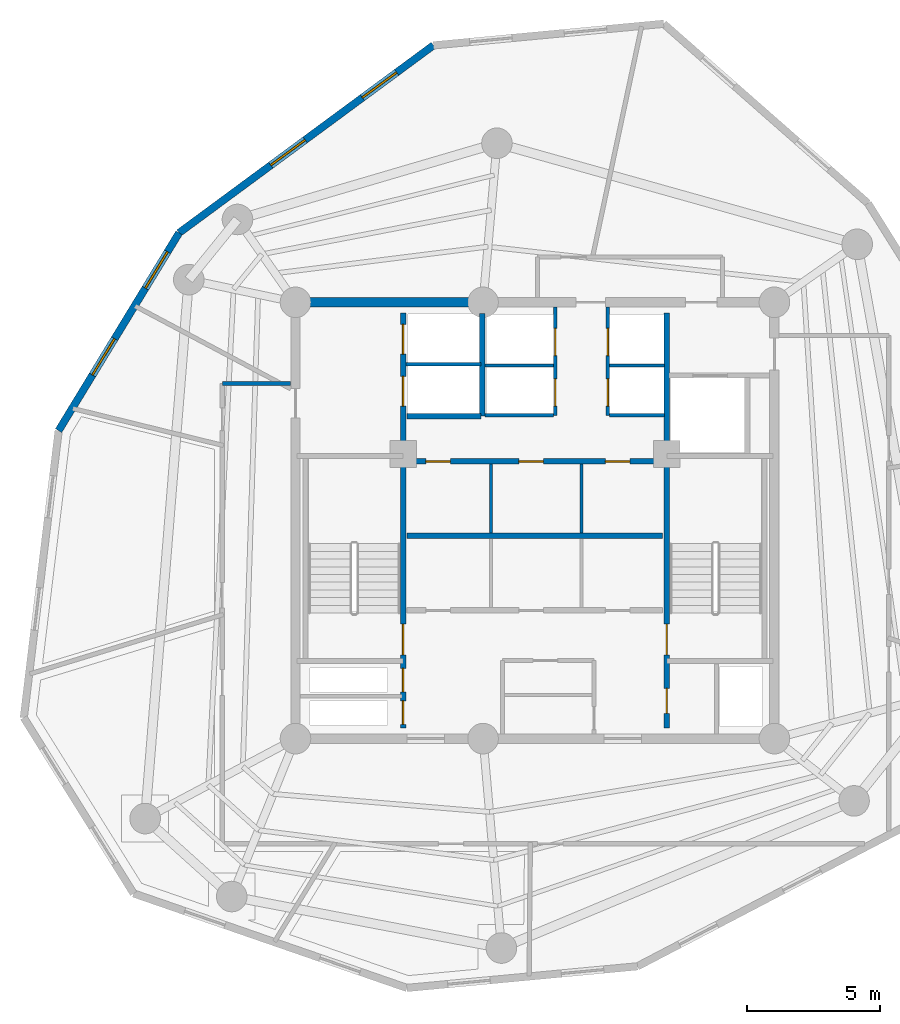
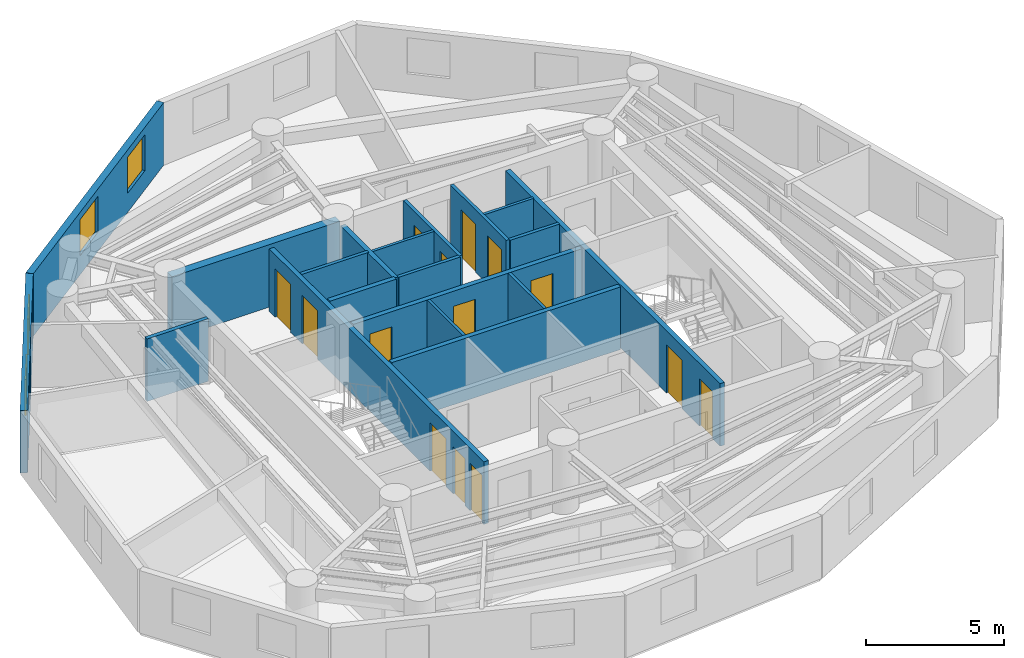
# One storey, part 4 of 6: 19 walls, 14 doors, 4 windows, 18 openings.
"""IFC4 building model written with IfcOpenShell, lengths in metres."""

from ifc_helpers import new_model, si_unit, direction, frame, frame_2d, origin, origin_with_axes, place, context, subcontext, project, spatial, rectangle, extrude, source, transform, mapped, material, layer, layer_set, type_object, element, fill, save


model = new_model("IFC4")

# Units and contexts
model_context = context("Model", 3, precision=1e-05, world=origin(), true_north=direction((0.0, 1.0)))
body_context = subcontext(model_context, "Body", "Model", "MODEL_VIEW")
ifc_project = project(units=[si_unit("LENGTHUNIT", "METRE"), si_unit("AREAUNIT", "SQUARE_METRE"), si_unit("VOLUMEUNIT", "CUBIC_METRE"), si_unit("PLANEANGLEUNIT", "RADIAN"), si_unit("MASSUNIT", "GRAM", prefix="KILO")], contexts=[model_context])

# Site, building, storey
site_placement = place(None, origin())
site = spatial("IfcSite", under=ifc_project, at=site_placement, CompositionType="ELEMENT")
building_placement = place(site_placement, origin())
building = spatial("IfcBuilding", under=site, at=building_placement, Name="Karkom Vertical University and Central Library", CompositionType="ELEMENT")
storey_placement = place(building_placement, frame((0.0, 0.0, 265.699951171875)))
storey = spatial("IfcBuildingStorey", under=building, at=storey_placement, Name="L79", CompositionType="ELEMENT", Elevation=265.699951171875)

# Wall, openings, windows
ifc_material_1 = material(Name="Brick-faced precast concrete C45/55", Category="masonry")
ifc_layer_1 = layer(ifc_material_1, 0.280029296875)
ifc_layer_set_1 = layer_set([ifc_layer_1], Name="Brick-faced precast concrete C45/55")
wall_type_1 = type_object("IfcWallType", Name="ENV-WL-BRK-280", PredefinedType="SOLIDWALL", material=ifc_layer_set_1)
wall_1_placement = place(storey_placement, frame((24.684814453125, 44.360107421875, 0.0), z_axis=(0.0, 0.0, 1.0), x_axis=(-0.804889434658, -0.593424803977, 0.0)))
wall_1 = element("IfcWall", 1, at=wall_1_placement, inside=storey, type_object=wall_type_1, Name="Level 79 Brick-Faced Precast Facade Wall 10", PredefinedType="SOLIDWALL", context=body_context, shape_type="SweptSolid", body=[
    extrude(rectangle(XDim=11.87646484375, YDim=0.280029296875, at=frame_2d((5.938232421875, 0.0))), origin(), (0.0, 0.0, 1.0), 2.775146484375),
])
opening_1_placement = place(wall_1_placement, frame((1.71826171875, 0.0, 0.85009765625)))
opening_1 = element("IfcOpeningElement", 2, at=opening_1_placement, cuts=wall_1, Name="Opening WN-10", PredefinedType="OPENING", context=body_context, shape_type="SweptSolid", body=[
    extrude(rectangle(XDim=1.60009765625, YDim=1.60009765625, at=frame_2d((0.800048828125, 0.800048828125))), frame((0.0, 0.14990234375, 0.0), z_axis=(0.0, -1.0, 0.0), x_axis=(1.0, 0.0, 0.0)), (0.0, 0.0, 1.0), 0.300048828125),
])
opening_2_placement = place(wall_1_placement, frame((5.994873046875, 0.0, 0.85009765625)))
opening_2 = element("IfcOpeningElement", 3, at=opening_2_placement, cuts=wall_1, Name="Opening WN-10", PredefinedType="OPENING", context=body_context, shape_type="SweptSolid", body=[
    extrude(rectangle(XDim=1.60009765625, YDim=1.60009765625, at=frame_2d((0.800048828125, 0.800048828125))), frame((0.0, 0.14990234375, 0.0), z_axis=(0.0, -1.0, 0.0), x_axis=(1.0, 0.0, 0.0)), (0.0, 0.0, 1.0), 0.300048828125),
])
ifc_material_2 = material(Name="Aluminium thermal-break frame with solar-control IGU", Category="aluminium")
window_type = type_object("IfcWindowType", Name="ENV-WIN-WN-10", PartitioningType="SINGLE_PANEL", PredefinedType="WINDOW", material=ifc_material_2)
shared_shape_1 = source(origin_with_axes(), body_context, "Body", "SweptSolid", [
    extrude(rectangle(XDim=1.60009765625, YDim=1.60009765625, at=frame_2d((0.800048828125, 0.800048828125))), frame((0.0, 0.030029296875, 0.0), z_axis=(0.0, -1.0, 0.0), x_axis=(1.0, 0.0, 0.0)), (0.0, 0.0, 1.0), 0.06005859375),
])
window_1_placement = place(opening_1_placement, origin())
window_1 = element("IfcWindow", 4, at=window_1_placement, inside=storey, type_object=window_type, Name="Level 79 Punched Window 10.1", OverallHeight=1.60009765625, OverallWidth=1.60009765625, PartitioningType="SINGLE_PANEL", PredefinedType="WINDOW", context=body_context, shape_type="MappedRepresentation", body=[
    mapped(shared_shape_1, transform((0.0, 0.0, 0.0), scale=1.0)),
])
fill(opening_1, window_1)
window_2_placement = place(opening_2_placement, origin())
window_2 = element("IfcWindow", 5, at=window_2_placement, inside=storey, type_object=window_type, Name="Level 79 Punched Window 10.2", OverallHeight=1.60009765625, OverallWidth=1.60009765625, PartitioningType="SINGLE_PANEL", PredefinedType="WINDOW", context=body_context, shape_type="MappedRepresentation", body=[
    mapped(shared_shape_1, transform((0.0, 0.0, 0.0), scale=1.0)),
])
fill(opening_2, window_2)

wall_2_placement = place(storey_placement, frame((15.12548828125, 37.312255859375, 0.0), z_axis=(0.0, 0.0, 1.0), x_axis=(-0.520339182014, -0.853959680349, 0.0)))
wall_2 = element("IfcWall", 6, at=wall_2_placement, inside=storey, type_object=wall_type_1, Name="Level 79 Brick-Faced Precast Facade Wall 11", PredefinedType="SOLIDWALL", context=body_context, shape_type="SweptSolid", body=[
    extrude(rectangle(XDim=8.706787109375, YDim=0.280029296875, at=frame_2d((4.353515625, 0.0))), origin(), (0.0, 0.0, 1.0), 2.775146484375),
])
opening_3_placement = place(wall_2_placement, frame((0.8349609375, 0.0, 0.85009765625)))
opening_3 = element("IfcOpeningElement", 7, at=opening_3_placement, cuts=wall_2, Name="Opening WN-10", PredefinedType="OPENING", context=body_context, shape_type="SweptSolid", body=[
    extrude(rectangle(XDim=1.60009765625, YDim=1.60009765625, at=frame_2d((0.800048828125, 0.800048828125))), frame((0.0, 0.14990234375, 0.0), z_axis=(0.0, -1.0, 0.0), x_axis=(1.0, 0.0, 0.0)), (0.0, 0.0, 1.0), 0.300048828125),
])
opening_4_placement = place(wall_2_placement, frame((4.65869140625, 0.0, 0.85009765625)))
opening_4 = element("IfcOpeningElement", 8, at=opening_4_placement, cuts=wall_2, Name="Opening WN-10", PredefinedType="OPENING", context=body_context, shape_type="SweptSolid", body=[
    extrude(rectangle(XDim=1.60009765625, YDim=1.60009765625, at=frame_2d((0.800048828125, 0.800048828125))), frame((0.0, 0.14990234375, 0.0), z_axis=(0.0, -1.0, 0.0), x_axis=(1.0, 0.0, 0.0)), (0.0, 0.0, 1.0), 0.300048828125),
])
window_3_placement = place(opening_3_placement, origin())
window_3 = element("IfcWindow", 9, at=window_3_placement, inside=storey, type_object=window_type, Name="Level 79 Punched Window 11.1", OverallHeight=1.60009765625, OverallWidth=1.60009765625, PartitioningType="SINGLE_PANEL", PredefinedType="WINDOW", context=body_context, shape_type="MappedRepresentation", body=[
    mapped(shared_shape_1, transform((0.0, 0.0, 0.0), scale=1.0)),
])
fill(opening_3, window_3)
window_4_placement = place(opening_4_placement, origin())
window_4 = element("IfcWindow", 10, at=window_4_placement, inside=storey, type_object=window_type, Name="Level 79 Punched Window 11.2", OverallHeight=1.60009765625, OverallWidth=1.60009765625, PartitioningType="SINGLE_PANEL", PredefinedType="WINDOW", context=body_context, shape_type="MappedRepresentation", body=[
    mapped(shared_shape_1, transform((0.0, 0.0, 0.0), scale=1.0)),
])
fill(opening_4, window_4)

# Walls
ifc_material_3 = material(Name="Insulated metal-stud drywall 160mm", Category="gypsum")
ifc_layer_2 = layer(ifc_material_3, 0.159912109375)
ifc_layer_set_2 = layer_set([ifc_layer_2], Name="Insulated metal-stud drywall 160mm")
wall_type_2 = type_object("IfcWallType", Name="INT-WL-COR-160", PredefinedType="PARTITIONING", material=ifc_layer_set_2)
wall_3_placement = place(storey_placement, frame((16.75, 31.64990234375, 0.0), z_axis=(0.0, 0.0, 1.0), x_axis=(1.0, 0.0, 0.0)))
element("IfcWall", 11, at=wall_3_placement, inside=storey, type_object=wall_type_2, Name="Level 79 Interior Partition Wall L79-CORW-CW-003", PredefinedType="PARTITIONING", context=body_context, shape_type="SweptSolid", body=[
    extrude(rectangle(XDim=2.568115234375, YDim=0.159912109375, at=frame_2d((1.2841796875, 0.0))), origin(), (0.0, 0.0, 1.0), 2.775146484375),
])
ifc_material_4 = material(Name="Moisture-resistant drywall 120mm", Category="gypsum")
ifc_layer_3 = layer(ifc_material_4, 0.1201171875)
ifc_layer_set_3 = layer_set([ifc_layer_3], Name="Moisture-resistant drywall 120mm")
wall_type_3 = type_object("IfcWallType", Name="INT-WL-INT-120", PredefinedType="PARTITIONING", material=ifc_layer_set_3)
for number, where, z_axis, x_axis, name in (
    (12, (26.85009765625, 26.027099609375, 0.0), (0.0, 0.0, 1.0), (0.0, 1.0, 0.0), "Level 79 Interior Partition Wall L79-CW-B2-K4A"),
    (13, (30.25, 26.027099609375, 0.0), (0.0, 0.0, 1.0), (0.0, 1.0, 0.0), "Level 79 Interior Partition Wall L79-CW-B2-K4B"),
):
    element("IfcWall", number, at=place(storey_placement, frame(where, z_axis=z_axis, x_axis=x_axis)), inside=storey, type_object=wall_type_3, Name=name, PredefinedType="PARTITIONING", context=body_context, shape_type="SweptSolid", body=[
        extrude(rectangle(XDim=2.586669921875, YDim=0.1201171875, at=frame_2d((1.29345703125, 0.0))), origin(), (0.0, 0.0, 1.0), 2.775146484375),
    ])
ifc_layer_4 = layer(ifc_material_4, 0.1201171875)
ifc_layer_set_4 = layer_set([ifc_layer_4], Name="Moisture-resistant drywall 120mm")
wall_type_4 = type_object("IfcWallType", Name="INT-WL-INT-120H", PredefinedType="PARTITIONING", material=ifc_layer_set_4)
wall_4_placement = place(storey_placement, frame((26.6201171875, 32.320068359375, 0.0), z_axis=(0.0, 0.0, 1.0), x_axis=(1.0, 0.0, 0.0)))
element("IfcWall", 14, at=wall_4_placement, inside=storey, type_object=wall_type_4, Name="Level 79 Interior Partition Wall L79-CW-PH-MW", PredefinedType="PARTITIONING", context=body_context, shape_type="SweptSolid", body=[
    extrude(rectangle(XDim=2.579833984375, YDim=0.1201171875, at=frame_2d((1.2900390625, 0.0))), origin(), (0.0, 0.0, 1.0), 2.775146484375),
])
wall_5_placement = place(storey_placement, frame((31.300048828125, 32.320068359375, 0.0), z_axis=(0.0, 0.0, 1.0), x_axis=(1.0, 0.0, 0.0)))
element("IfcWall", 15, at=wall_5_placement, inside=storey, type_object=wall_type_4, Name="Level 79 Interior Partition Wall L79-CW-PH-ME", PredefinedType="PARTITIONING", context=body_context, shape_type="SweptSolid", body=[
    extrude(rectangle(XDim=2.074951171875, YDim=0.1201171875, at=frame_2d((1.03759765625, 0.0))), origin(), (0.0, 0.0, 1.0), 2.775146484375),
])

# Wall, openings, doors
ifc_material_5 = material(Name="Metal-stud gypsum partition 140mm", Category="gypsum")
ifc_layer_5 = layer(ifc_material_5, 0.139892578125)
ifc_layer_set_5 = layer_set([ifc_layer_5], Name="Metal-stud gypsum partition 140mm")
wall_type_5 = type_object("IfcWallType", Name="INT-WL-SUB-140H", PredefinedType="PARTITIONING", material=ifc_layer_set_5)
wall_6_placement = place(storey_placement, frame((29.260009765625, 30.449951171875, 0.0), z_axis=(0.0, 0.0, 1.0), x_axis=(0.0, 1.0, 0.0)))
wall_6 = element("IfcWall", 16, at=wall_6_placement, inside=storey, type_object=wall_type_5, Name="Level 79 Interior Partition Wall L79-CW-PH-W", PredefinedType="PARTITIONING", context=body_context, shape_type="SweptSolid", body=[
    extrude(rectangle(XDim=4.068115234375, YDim=0.139892578125, at=frame_2d((2.0341796875, 0.0))), origin(), (0.0, 0.0, 1.0), 2.775146484375),
])
opening_5_placement = place(wall_6_placement, frame((0.35009765625, 0.0, 0.0)))
opening_5 = element("IfcOpeningElement", 17, at=opening_5_placement, cuts=wall_6, Name="Opening LD-PH", PredefinedType="OPENING", context=body_context, shape_type="SweptSolid", body=[
    extrude(rectangle(XDim=1.02001953125, YDim=2.14990234375, at=frame_2d((0.510009765625, 1.074951171875))), frame((0.0, 0.080078125, 0.0), z_axis=(0.0, -1.0, 0.0), x_axis=(1.0, 0.0, 0.0)), (0.0, 0.0, 1.0), 0.159912109375),
])
opening_6_placement = place(wall_6_placement, frame((2.25, 0.0, 0.0)))
opening_6 = element("IfcOpeningElement", 18, at=opening_6_placement, cuts=wall_6, Name="Opening LD-PH", PredefinedType="OPENING", context=body_context, shape_type="SweptSolid", body=[
    extrude(rectangle(XDim=1.02001953125, YDim=2.14990234375, at=frame_2d((0.510009765625, 1.074951171875))), frame((0.0, 0.080078125, 0.0), z_axis=(0.0, -1.0, 0.0), x_axis=(1.0, 0.0, 0.0)), (0.0, 0.0, 1.0), 0.159912109375),
])
ifc_material_6 = material(Name="Brushed stainless-steel landing door", Category="steel")
door_type_1 = type_object("IfcDoorType", Name="INT-DR-LD-PH", OperationType="SLIDING_TO_LEFT", PredefinedType="DOOR", material=ifc_material_6)
shared_shape_2 = source(origin_with_axes(), body_context, "Body", "SweptSolid", [
    extrude(rectangle(XDim=1.02001953125, YDim=2.14990234375, at=frame_2d((0.510009765625, 1.074951171875))), frame((0.0, 0.02490234375, 0.0), z_axis=(0.0, -1.0, 0.0), x_axis=(1.0, 0.0, 0.0)), (0.0, 0.0, 1.0), 0.050048828125),
])
door_1_placement = place(opening_5_placement, origin())
door_1 = element("IfcDoor", 19, at=door_1_placement, inside=storey, type_object=door_type_1, Name="Level 79 Lift PH-1 Landing Door", OperationType="SLIDING_TO_LEFT", OverallHeight=2.14990234375, OverallWidth=1.02001953125, PredefinedType="DOOR", context=body_context, shape_type="MappedRepresentation", body=[
    mapped(shared_shape_2, transform((0.0, 0.0, 0.0), scale=1.0)),
])
fill(opening_5, door_1)
door_2_placement = place(opening_6_placement, origin())
door_2 = element("IfcDoor", 20, at=door_2_placement, inside=storey, type_object=door_type_1, Name="Level 79 Lift PH-2 Landing Door", OperationType="SLIDING_TO_LEFT", OverallHeight=2.14990234375, OverallWidth=1.02001953125, PredefinedType="DOOR", context=body_context, shape_type="MappedRepresentation", body=[
    mapped(shared_shape_2, transform((0.0, 0.0, 0.0), scale=1.0)),
])
fill(opening_6, door_2)

wall_7_placement = place(storey_placement, frame((31.239990234375, 30.449951171875, 0.0), z_axis=(0.0, 0.0, 1.0), x_axis=(0.0, 1.0, 0.0)))
wall_7 = element("IfcWall", 21, at=wall_7_placement, inside=storey, type_object=wall_type_5, Name="Level 79 Interior Partition Wall L79-CW-PH-E", PredefinedType="PARTITIONING", context=body_context, shape_type="SweptSolid", body=[
    extrude(rectangle(XDim=4.068115234375, YDim=0.139892578125, at=frame_2d((2.0341796875, 0.0))), origin(), (0.0, 0.0, 1.0), 2.775146484375),
])
opening_7_placement = place(wall_7_placement, frame((0.35009765625, 0.0, 0.0)))
opening_7 = element("IfcOpeningElement", 22, at=opening_7_placement, cuts=wall_7, Name="Opening LD-PH", PredefinedType="OPENING", context=body_context, shape_type="SweptSolid", body=[
    extrude(rectangle(XDim=1.02001953125, YDim=2.14990234375, at=frame_2d((0.510009765625, 1.074951171875))), frame((0.0, 0.080078125, 0.0), z_axis=(0.0, -1.0, 0.0), x_axis=(1.0, 0.0, 0.0)), (0.0, 0.0, 1.0), 0.159912109375),
])
opening_8_placement = place(wall_7_placement, frame((2.25, 0.0, 0.0)))
opening_8 = element("IfcOpeningElement", 23, at=opening_8_placement, cuts=wall_7, Name="Opening LD-PH", PredefinedType="OPENING", context=body_context, shape_type="SweptSolid", body=[
    extrude(rectangle(XDim=1.02001953125, YDim=2.14990234375, at=frame_2d((0.510009765625, 1.074951171875))), frame((0.0, 0.080078125, 0.0), z_axis=(0.0, -1.0, 0.0), x_axis=(1.0, 0.0, 0.0)), (0.0, 0.0, 1.0), 0.159912109375),
])
door_3_placement = place(opening_7_placement, origin())
door_3 = element("IfcDoor", 24, at=door_3_placement, inside=storey, type_object=door_type_1, Name="Level 79 Lift PH-3 Landing Door", OperationType="SLIDING_TO_LEFT", OverallHeight=2.14990234375, OverallWidth=1.02001953125, PredefinedType="DOOR", context=body_context, shape_type="MappedRepresentation", body=[
    mapped(shared_shape_2, transform((0.0, 0.0, 0.0), scale=1.0)),
])
fill(opening_7, door_3)
door_4_placement = place(opening_8_placement, origin())
door_4 = element("IfcDoor", 25, at=door_4_placement, inside=storey, type_object=door_type_1, Name="Level 79 Lift PH-4 Landing Door", OperationType="SLIDING_TO_LEFT", OverallHeight=2.14990234375, OverallWidth=1.02001953125, PredefinedType="DOOR", context=body_context, shape_type="MappedRepresentation", body=[
    mapped(shared_shape_2, transform((0.0, 0.0, 0.0), scale=1.0)),
])
fill(opening_8, door_4)

# Walls
wall_8_placement = place(storey_placement, frame((26.6201171875, 30.449951171875, 0.0), z_axis=(0.0, 0.0, 1.0), x_axis=(1.0, 0.0, 0.0)))
element("IfcWall", 26, at=wall_8_placement, inside=storey, type_object=wall_type_5, Name="Level 79 Interior Partition Wall L79-CW-PH-S1", PredefinedType="PARTITIONING", context=body_context, shape_type="SweptSolid", body=[
    extrude(rectangle(XDim=2.579833984375, YDim=0.139892578125, at=frame_2d((1.2900390625, 0.0))), origin(), (0.0, 0.0, 1.0), 2.775146484375),
])
wall_9_placement = place(storey_placement, frame((31.300048828125, 30.449951171875, 0.0), z_axis=(0.0, 0.0, 1.0), x_axis=(1.0, 0.0, 0.0)))
element("IfcWall", 27, at=wall_9_placement, inside=storey, type_object=wall_type_5, Name="Level 79 Interior Partition Wall L79-CW-PH-S2", PredefinedType="PARTITIONING", context=body_context, shape_type="SweptSolid", body=[
    extrude(rectangle(XDim=2.074951171875, YDim=0.139892578125, at=frame_2d((1.03759765625, 0.0))), origin(), (0.0, 0.0, 1.0), 2.775146484375),
])
ifc_layer_6 = layer(ifc_material_5, 0.139892578125)
ifc_layer_set_6 = layer_set([ifc_layer_6], Name="Metal-stud gypsum partition 140mm")
wall_type_6 = type_object("IfcWallType", Name="INT-WL-SUB-140X", PredefinedType="PARTITIONING", material=ifc_layer_set_6)
wall_10_placement = place(storey_placement, frame((23.652099609375, 32.3701171875, 0.0), z_axis=(0.0, 0.0, 1.0), x_axis=(1.0, 0.0, 0.0)))
element("IfcWall", 28, at=wall_10_placement, inside=storey, type_object=wall_type_6, Name="Level 79 Interior Partition Wall L79-CW-FFL-M", PredefinedType="PARTITIONING", context=body_context, shape_type="SweptSolid", body=[
    extrude(rectangle(XDim=2.827880859375, YDim=0.139892578125, at=frame_2d((1.4140625, 0.0))), origin(), (0.0, 0.0, 1.0), 2.775146484375),
])
ifc_material_7 = material(Name="Concrete C45/55", Category="concrete")
ifc_layer_7 = layer(ifc_material_7, 0.35009765625)
ifc_layer_set_7 = layer_set([ifc_layer_7], Name="Concrete C45/55")
wall_type_7 = type_object("IfcWallType", Name="STR-WL-CW-350", PredefinedType="SHEAR", material=ifc_layer_set_7)
wall_11_placement = place(storey_placement, frame((26.550048828125, 34.699951171875, 0.0), z_axis=(0.0, 0.0, 1.0), x_axis=(-1.0, 0.0, 0.0)))
element("IfcWall", 29, at=wall_11_placement, inside=storey, type_object=wall_type_7, Name="Level 79 Central Core Shear Wall NW2", PredefinedType="SHEAR", context=body_context, shape_type="SweptSolid", body=[
    extrude(rectangle(XDim=7.050048828125, YDim=0.35009765625, at=frame_2d((3.52490234375, 0.0))), origin(), (0.0, 0.0, 1.0), 2.775146484375),
])

# Wall, openings, doors
ifc_layer_8 = layer(ifc_material_7, 0.199951171875)
ifc_layer_set_8 = layer_set([ifc_layer_8], Name="Concrete C45/55")
wall_type_8 = type_object("IfcWallType", Name="STR-WL-ST-200", PredefinedType="SHEAR", material=ifc_layer_set_8)
wall_12_placement = place(storey_placement, frame((23.544921875, 18.699951171875, 0.0), z_axis=(0.0, 0.0, 1.0), x_axis=(0.0, 1.0, 0.0)))
wall_12 = element("IfcWall", 30, at=wall_12_placement, inside=storey, type_object=wall_type_8, Name="Level 79 Core Shaft Wall L79-CW-ST1-E", PredefinedType="SHEAR", context=body_context, shape_type="SweptSolid", body=[
    extrude(rectangle(XDim=15.60009765625, YDim=0.199951171875, at=frame_2d((7.800048828125, 0.0))), origin(), (0.0, 0.0, 1.0), 2.775146484375),
])
opening_9_placement = place(wall_12_placement, frame((2.75, 0.0, 0.0)))
opening_9 = element("IfcOpeningElement", 31, at=opening_9_placement, cuts=wall_12, Name="Opening FD-ST1", PredefinedType="OPENING", context=body_context, shape_type="SweptSolid", body=[
    extrude(rectangle(XDim=1.14990234375, YDim=2.14990234375, at=frame_2d((0.574951171875, 1.074951171875))), frame((0.0, 0.10986328125, 0.0), z_axis=(0.0, -1.0, 0.0), x_axis=(1.0, 0.0, 0.0)), (0.0, 0.0, 1.0), 0.219970703125),
])
opening_10_placement = place(wall_12_placement, frame((0.139892578125, 0.0, 0.0)))
opening_10 = element("IfcOpeningElement", 32, at=opening_10_placement, cuts=wall_12, Name="Opening FD-RIS", PredefinedType="OPENING", context=body_context, shape_type="SweptSolid", body=[
    extrude(rectangle(XDim=0.8798828125, YDim=2.10009765625, at=frame_2d((0.43994140625, 1.050048828125))), frame((0.0, 0.10986328125, 0.0), z_axis=(0.0, -1.0, 0.0), x_axis=(1.0, 0.0, 0.0)), (0.0, 0.0, 1.0), 0.219970703125),
])
opening_11_placement = place(wall_12_placement, frame((1.360107421875, 0.0, 0.0)))
opening_11 = element("IfcOpeningElement", 33, at=opening_11_placement, cuts=wall_12, Name="Opening FD-RIS", PredefinedType="OPENING", context=body_context, shape_type="SweptSolid", body=[
    extrude(rectangle(XDim=0.8798828125, YDim=2.10009765625, at=frame_2d((0.43994140625, 1.050048828125))), frame((0.0, 0.10986328125, 0.0), z_axis=(0.0, -1.0, 0.0), x_axis=(1.0, 0.0, 0.0)), (0.0, 0.0, 1.0), 0.219970703125),
])
opening_12_placement = place(wall_12_placement, frame((12.10009765625, 0.0, 0.0)))
opening_12 = element("IfcOpeningElement", 34, at=opening_12_placement, cuts=wall_12, Name="Opening LD-FFL", PredefinedType="OPENING", context=body_context, shape_type="SweptSolid", body=[
    extrude(rectangle(XDim=1.1201171875, YDim=2.14990234375, at=frame_2d((0.56005859375, 1.074951171875))), frame((0.0, 0.10986328125, 0.0), z_axis=(0.0, -1.0, 0.0), x_axis=(1.0, 0.0, 0.0)), (0.0, 0.0, 1.0), 0.219970703125),
])
opening_13_placement = place(wall_12_placement, frame((14.050048828125, 0.0, 0.0)))
opening_13 = element("IfcOpeningElement", 35, at=opening_13_placement, cuts=wall_12, Name="Opening LD-FFL", PredefinedType="OPENING", context=body_context, shape_type="SweptSolid", body=[
    extrude(rectangle(XDim=1.1201171875, YDim=2.14990234375, at=frame_2d((0.56005859375, 1.074951171875))), frame((0.0, 0.10986328125, 0.0), z_axis=(0.0, -1.0, 0.0), x_axis=(1.0, 0.0, 0.0)), (0.0, 0.0, 1.0), 0.219970703125),
])
ifc_material_8 = material(Name="Painted steel acoustic fire door", Category="steel")
door_type_2 = type_object("IfcDoorType", Name="INT-DR-ST1", OperationType="NOTDEFINED", PredefinedType="DOOR", material=ifc_material_8)
shared_shape_3 = source(origin_with_axes(), body_context, "Body", "SweptSolid", [
    extrude(rectangle(XDim=1.14990234375, YDim=2.14990234375, at=frame_2d((0.574951171875, 1.074951171875))), frame((0.0, 0.02490234375, 0.0), z_axis=(0.0, -1.0, 0.0), x_axis=(1.0, 0.0, 0.0)), (0.0, 0.0, 1.0), 0.050048828125),
])
door_5_placement = place(opening_9_placement, origin())
door_5 = element("IfcDoor", 36, at=door_5_placement, inside=storey, type_object=door_type_2, Name="Level 79 Stair ST-1 Fire Door", OperationType="SINGLE_SWING_RIGHT", OverallHeight=2.14990234375, OverallWidth=1.14990234375, PredefinedType="DOOR", context=body_context, shape_type="MappedRepresentation", body=[
    mapped(shared_shape_3, transform((0.0, 0.0, 0.0), scale=1.0)),
])
fill(opening_9, door_5)
ifc_material_9 = material(Name="Painted steel riser access door", Category="steel")
door_type_3 = type_object("IfcDoorType", Name="INT-DR-RIS", OperationType="NOTDEFINED", PredefinedType="DOOR", material=ifc_material_9)
shared_shape_4 = source(origin_with_axes(), body_context, "Body", "SweptSolid", [
    extrude(rectangle(XDim=0.8798828125, YDim=2.10009765625, at=frame_2d((0.43994140625, 1.050048828125))), frame((0.0, 0.02490234375, 0.0), z_axis=(0.0, -1.0, 0.0), x_axis=(1.0, 0.0, 0.0)), (0.0, 0.0, 1.0), 0.050048828125),
])
door_6_placement = place(opening_10_placement, origin())
door_6 = element("IfcDoor", 37, at=door_6_placement, inside=storey, type_object=door_type_3, Name="Level 79 Electrical Riser Access Door", OperationType="SINGLE_SWING_LEFT", OverallHeight=2.10009765625, OverallWidth=0.8798828125, PredefinedType="DOOR", context=body_context, shape_type="MappedRepresentation", body=[
    mapped(shared_shape_4, transform((0.0, 0.0, 0.0), scale=1.0)),
])
fill(opening_10, door_6)
door_7_placement = place(opening_11_placement, origin())
door_7 = element("IfcDoor", 38, at=door_7_placement, inside=storey, type_object=door_type_3, Name="Level 79 Telecom Riser Access Door", OperationType="SINGLE_SWING_RIGHT", OverallHeight=2.10009765625, OverallWidth=0.8798828125, PredefinedType="DOOR", context=body_context, shape_type="MappedRepresentation", body=[
    mapped(shared_shape_4, transform((0.0, 0.0, 0.0), scale=1.0)),
])
fill(opening_11, door_7)
ifc_material_10 = material(Name="Fire-rated stainless-steel landing door", Category="steel")
door_type_4 = type_object("IfcDoorType", Name="INT-DR-LD-FFL", OperationType="SLIDING_TO_LEFT", PredefinedType="DOOR", material=ifc_material_10)
shared_shape_5 = source(origin_with_axes(), body_context, "Body", "SweptSolid", [
    extrude(rectangle(XDim=1.1201171875, YDim=2.14990234375, at=frame_2d((0.56005859375, 1.074951171875))), frame((0.0, 0.02490234375, 0.0), z_axis=(0.0, -1.0, 0.0), x_axis=(1.0, 0.0, 0.0)), (0.0, 0.0, 1.0), 0.050048828125),
])
door_8_placement = place(opening_12_placement, origin())
door_8 = element("IfcDoor", 39, at=door_8_placement, inside=storey, type_object=door_type_4, Name="Level 79 Firefighting Lift FFL-1 Landing Door", OperationType="SLIDING_TO_LEFT", OverallHeight=2.14990234375, OverallWidth=1.1201171875, PredefinedType="DOOR", context=body_context, shape_type="MappedRepresentation", body=[
    mapped(shared_shape_5, transform((0.0, 0.0, 0.0), scale=1.0)),
])
fill(opening_12, door_8)
door_9_placement = place(opening_13_placement, origin())
door_9 = element("IfcDoor", 40, at=door_9_placement, inside=storey, type_object=door_type_4, Name="Level 79 Firefighting Lift FFL-2 Landing Door", OperationType="SLIDING_TO_RIGHT", OverallHeight=2.14990234375, OverallWidth=1.1201171875, PredefinedType="DOOR", context=body_context, shape_type="MappedRepresentation", body=[
    mapped(shared_shape_5, transform((0.0, 0.0, 0.0), scale=1.0)),
])
fill(opening_13, door_9)

wall_13_placement = place(storey_placement, frame((33.455078125, 18.699951171875, 0.0), z_axis=(0.0, 0.0, 1.0), x_axis=(0.0, 1.0, 0.0)))
wall_13 = element("IfcWall", 41, at=wall_13_placement, inside=storey, type_object=wall_type_8, Name="Level 79 Core Shaft Wall L79-CW-ST2-W", PredefinedType="SHEAR", context=body_context, shape_type="SweptSolid", body=[
    extrude(rectangle(XDim=15.60009765625, YDim=0.199951171875, at=frame_2d((7.800048828125, 0.0))), origin(), (0.0, 0.0, 1.0), 2.775146484375),
])
opening_14_placement = place(wall_13_placement, frame((2.75, 0.0, 0.0)))
opening_14 = element("IfcOpeningElement", 42, at=opening_14_placement, cuts=wall_13, Name="Opening FD-ST1", PredefinedType="OPENING", context=body_context, shape_type="SweptSolid", body=[
    extrude(rectangle(XDim=1.14990234375, YDim=2.14990234375, at=frame_2d((0.574951171875, 1.074951171875))), frame((0.0, 0.10986328125, 0.0), z_axis=(0.0, -1.0, 0.0), x_axis=(1.0, 0.0, 0.0)), (0.0, 0.0, 1.0), 0.219970703125),
])
opening_15_placement = place(wall_13_placement, frame((0.550048828125, 0.0, 0.0)))
opening_15 = element("IfcOpeningElement", 43, at=opening_15_placement, cuts=wall_13, Name="Opening D-WC1", PredefinedType="OPENING", context=body_context, shape_type="SweptSolid", body=[
    extrude(rectangle(XDim=0.93994140625, YDim=2.10009765625, at=frame_2d((0.469970703125, 1.050048828125))), frame((0.0, 0.10986328125, 0.0), z_axis=(0.0, -1.0, 0.0), x_axis=(1.0, 0.0, 0.0)), (0.0, 0.0, 1.0), 0.219970703125),
])
door_10_placement = place(opening_14_placement, origin())
door_10 = element("IfcDoor", 44, at=door_10_placement, inside=storey, type_object=door_type_2, Name="Level 79 Stair ST-2 Fire Door", OperationType="SINGLE_SWING_LEFT", OverallHeight=2.14990234375, OverallWidth=1.14990234375, PredefinedType="DOOR", context=body_context, shape_type="MappedRepresentation", body=[
    mapped(shared_shape_3, transform((0.0, 0.0, 0.0), scale=1.0)),
])
fill(opening_14, door_10)
ifc_material_11 = material(Name="Fire-rated laminate moisture-resistant door", Category="wood")
door_type_5 = type_object("IfcDoorType", Name="INT-DR-WC1", OperationType="NOTDEFINED", PredefinedType="DOOR", material=ifc_material_11)
shared_shape_6 = source(origin_with_axes(), body_context, "Body", "SweptSolid", [
    extrude(rectangle(XDim=0.93994140625, YDim=2.10009765625, at=frame_2d((0.469970703125, 1.050048828125))), frame((0.0, 0.02490234375, 0.0), z_axis=(0.0, -1.0, 0.0), x_axis=(1.0, 0.0, 0.0)), (0.0, 0.0, 1.0), 0.050048828125),
])
door_11_placement = place(opening_15_placement, origin())
door_11 = element("IfcDoor", 45, at=door_11_placement, inside=storey, type_object=door_type_5, Name="Level 79 Accessible WC Door", OperationType="SINGLE_SWING_LEFT", OverallHeight=2.10009765625, OverallWidth=0.93994140625, PredefinedType="DOOR", context=body_context, shape_type="MappedRepresentation", body=[
    mapped(shared_shape_6, transform((0.0, 0.0, 0.0), scale=1.0)),
])
fill(opening_15, door_11)

# Wall
wall_14_placement = place(storey_placement, frame((23.699951171875, 25.919921875, 0.0), z_axis=(0.0, 0.0, 1.0), x_axis=(1.0, 0.0, 0.0)))
element("IfcWall", 46, at=wall_14_placement, inside=storey, type_object=wall_type_8, Name="Level 79 Core Shaft Wall L79-CW-B1-N", PredefinedType="SHEAR", context=body_context, shape_type="SweptSolid", body=[
    extrude(rectangle(XDim=9.60009765625, YDim=0.199951171875, at=frame_2d((4.800048828125, 0.0))), origin(), (0.0, 0.0, 1.0), 2.775146484375),
])

# Wall, openings, doors
wall_15_placement = place(storey_placement, frame((23.699951171875, 28.719970703125, 0.0), z_axis=(0.0, 0.0, 1.0), x_axis=(1.0, 0.0, 0.0)))
wall_15 = element("IfcWall", 47, at=wall_15_placement, inside=storey, type_object=wall_type_8, Name="Level 79 Core Shaft Wall L79-CW-B2-N", PredefinedType="SHEAR", context=body_context, shape_type="SweptSolid", body=[
    extrude(rectangle(XDim=9.60009765625, YDim=0.199951171875, at=frame_2d((4.800048828125, 0.0))), origin(), (0.0, 0.0, 1.0), 2.775146484375),
])
opening_16_placement = place(wall_15_placement, frame((0.699951171875, 0.0, 0.0)))
opening_16 = element("IfcOpeningElement", 48, at=opening_16_placement, cuts=wall_15, Name="Opening D-SVC1", PredefinedType="OPENING", context=body_context, shape_type="SweptSolid", body=[
    extrude(rectangle(XDim=0.919921875, YDim=2.10009765625, at=frame_2d((0.4599609375, 1.050048828125))), frame((0.0, 0.10986328125, 0.0), z_axis=(0.0, -1.0, 0.0), x_axis=(1.0, 0.0, 0.0)), (0.0, 0.0, 1.0), 0.219970703125),
])
opening_17_placement = place(wall_15_placement, frame((4.199951171875, 0.0, 0.0)))
opening_17 = element("IfcOpeningElement", 49, at=opening_17_placement, cuts=wall_15, Name="Opening D-SVC1", PredefinedType="OPENING", context=body_context, shape_type="SweptSolid", body=[
    extrude(rectangle(XDim=0.919921875, YDim=2.10009765625, at=frame_2d((0.4599609375, 1.050048828125))), frame((0.0, 0.10986328125, 0.0), z_axis=(0.0, -1.0, 0.0), x_axis=(1.0, 0.0, 0.0)), (0.0, 0.0, 1.0), 0.219970703125),
])
opening_18_placement = place(wall_15_placement, frame((7.449951171875, 0.0, 0.0)))
opening_18 = element("IfcOpeningElement", 50, at=opening_18_placement, cuts=wall_15, Name="Opening D-SVC1", PredefinedType="OPENING", context=body_context, shape_type="SweptSolid", body=[
    extrude(rectangle(XDim=0.919921875, YDim=2.10009765625, at=frame_2d((0.4599609375, 1.050048828125))), frame((0.0, 0.10986328125, 0.0), z_axis=(0.0, -1.0, 0.0), x_axis=(1.0, 0.0, 0.0)), (0.0, 0.0, 1.0), 0.219970703125),
])
ifc_material_12 = material(Name="Painted timber service door", Category="wood")
door_type_6 = type_object("IfcDoorType", Name="INT-DR-SVC1", OperationType="NOTDEFINED", PredefinedType="DOOR", material=ifc_material_12)
shared_shape_7 = source(origin_with_axes(), body_context, "Body", "SweptSolid", [
    extrude(rectangle(XDim=0.919921875, YDim=2.10009765625, at=frame_2d((0.4599609375, 1.050048828125))), frame((0.0, 0.02490234375, 0.0), z_axis=(0.0, -1.0, 0.0), x_axis=(1.0, 0.0, 0.0)), (0.0, 0.0, 1.0), 0.050048828125),
])
door_12_placement = place(opening_16_placement, origin())
door_12 = element("IfcDoor", 51, at=door_12_placement, inside=storey, type_object=door_type_6, Name="Level 79 B2 Store A Door", OperationType="SINGLE_SWING_LEFT", OverallHeight=2.10009765625, OverallWidth=0.919921875, PredefinedType="DOOR", context=body_context, shape_type="MappedRepresentation", body=[
    mapped(shared_shape_7, transform((0.0, 0.0, 0.0), scale=1.0)),
])
fill(opening_16, door_12)
door_13_placement = place(opening_17_placement, origin())
door_13 = element("IfcDoor", 52, at=door_13_placement, inside=storey, type_object=door_type_6, Name="Level 79 B2 Comms Door", OperationType="SINGLE_SWING_RIGHT", OverallHeight=2.10009765625, OverallWidth=0.919921875, PredefinedType="DOOR", context=body_context, shape_type="MappedRepresentation", body=[
    mapped(shared_shape_7, transform((0.0, 0.0, 0.0), scale=1.0)),
])
fill(opening_17, door_13)
door_14_placement = place(opening_18_placement, origin())
door_14 = element("IfcDoor", 53, at=door_14_placement, inside=storey, type_object=door_type_6, Name="Level 79 B2 Store C Door", OperationType="SINGLE_SWING_LEFT", OverallHeight=2.10009765625, OverallWidth=0.919921875, PredefinedType="DOOR", context=body_context, shape_type="MappedRepresentation", body=[
    mapped(shared_shape_7, transform((0.0, 0.0, 0.0), scale=1.0)),
])
fill(opening_18, door_14)

# Walls
wall_16_placement = place(storey_placement, frame((26.52001953125, 30.419921875, 0.0), z_axis=(0.0, 0.0, 1.0), x_axis=(0.0, 1.0, 0.0)))
element("IfcWall", 54, at=wall_16_placement, inside=storey, type_object=wall_type_8, Name="Level 79 Core Shaft Wall L79-CW-FFL-E", PredefinedType="SHEAR", context=body_context, shape_type="SweptSolid", body=[
    extrude(rectangle(XDim=3.860107421875, YDim=0.199951171875, at=frame_2d((1.93017578125, 0.0))), origin(), (0.0, 0.0, 1.0), 2.775146484375),
])
wall_17_placement = place(storey_placement, frame((23.699951171875, 30.419921875, 0.0), z_axis=(0.0, 0.0, 1.0), x_axis=(1.0, 0.0, 0.0)))
element("IfcWall", 55, at=wall_17_placement, inside=storey, type_object=wall_type_8, Name="Level 79 Core Shaft Wall L79-CW-FFL-S", PredefinedType="SHEAR", context=body_context, shape_type="SweptSolid", body=[
    extrude(rectangle(XDim=2.780029296875, YDim=0.199951171875, at=frame_2d((1.39013671875, 0.0))), origin(), (0.0, 0.0, 1.0), 2.775146484375),
])

save(model, "model.ifc")
